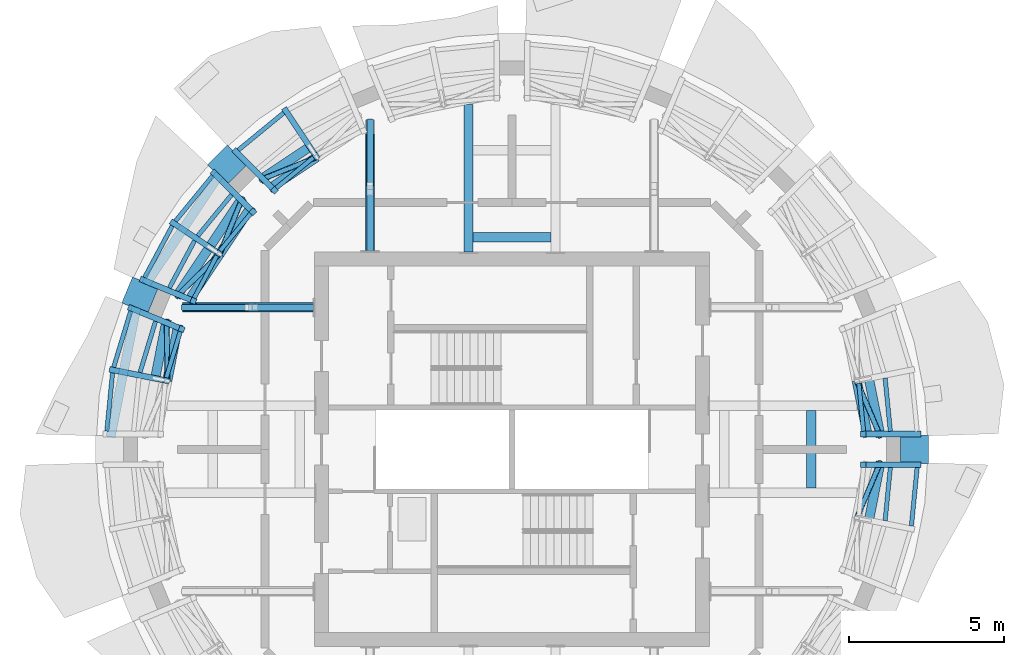
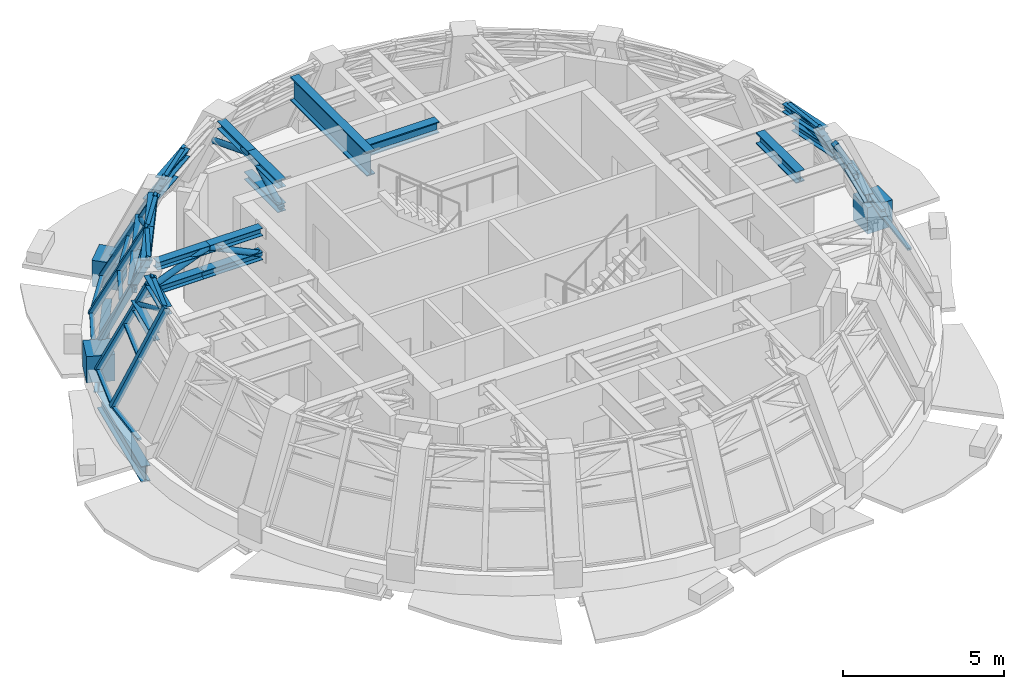
# One storey, part 4 of 12: 56 members, 5 beams, 5 elements without a shape of their own.
"""IFC4 building model written with IfcOpenShell, lengths in metres."""

from ifc_helpers import new_model, si_unit, direction, frame, origin, origin_2d, place, context, subcontext, project, spatial, rectangle, hollow_circle, i_section, extrude, material, material_profile, profile_set, type_object, element, aggregate, save


model = new_model("IFC4")

# Units and contexts
model_context = context("Model", 3, precision=1e-05, world=origin(), true_north=direction((0.0, 1.0)))
body_context = subcontext(model_context, "Body", "Model", "MODEL_VIEW")
ifc_project = project(units=[si_unit("LENGTHUNIT", "METRE"), si_unit("AREAUNIT", "SQUARE_METRE"), si_unit("VOLUMEUNIT", "CUBIC_METRE"), si_unit("PLANEANGLEUNIT", "RADIAN"), si_unit("MASSUNIT", "GRAM", prefix="KILO")], contexts=[model_context])

# Site, building, storey
site_placement = place(None, origin())
site = spatial("IfcSite", under=ifc_project, at=site_placement, CompositionType="ELEMENT")
building_placement = place(site_placement, origin())
building = spatial("IfcBuilding", under=site, at=building_placement, Name="Polderwave Tower", CompositionType="ELEMENT")
storey_placement = place(building_placement, frame((0.0, 0.0, 235.39990234375)))
storey = spatial("IfcBuildingStorey", under=building, at=storey_placement, Name="L64", CompositionType="ELEMENT", Elevation=235.39990234375)

# Members
ifc_material_1 = material(Name="Steel S460", Category="steel")
ifc_material_profile_1 = material_profile(ifc_material_1, i_section(OverallWidth=0.300048828125, OverallDepth=0.300048828125, WebThickness=0.010986328125, FlangeThickness=0.01904296875, at=origin_2d()), Name="HE 300 B")
ifc_profile_set_1 = profile_set([ifc_material_profile_1], Name="Steel S460")
member_type_1 = type_object("IfcMemberType", Name="BELT CHORD HE 300 B", PredefinedType="CHORD", material=ifc_profile_set_1)
member_1_placement = place(storey_placement, frame((11.4580078125, 0.39990234375, 3.25), z_axis=(-0.195122538865, 0.980778871524, 0.0), x_axis=(-0.980778871524, -0.195122538865, 0.0)))
element("IfcMember", 1, at=member_1_placement, inside=storey, type_object=member_type_1, Name="ST-BT-L64-00-TC1", PredefinedType="CHORD", context=body_context, shape_type="SweptSolid", body=[
    extrude(i_section(OverallWidth=0.300048828125, OverallDepth=0.300048828125, WebThickness=0.010986328125, FlangeThickness=0.01904296875, at=origin_2d()), origin(), (0.0, 0.0, 1.0), 1.843017578125),
])
member_2_placement = place(storey_placement, frame((11.863037109375, 0.39990234375, 2.35009765625), z_axis=(-0.195090163074, 0.980785312019, 0.0), x_axis=(-0.980785312019, -0.195090163074, 0.0)))
element("IfcMember", 2, at=member_2_placement, inside=storey, type_object=member_type_1, Name="ST-BT-L64-00-BC1", PredefinedType="CHORD", context=body_context, shape_type="SweptSolid", body=[
    extrude(i_section(OverallWidth=0.300048828125, OverallDepth=0.300048828125, WebThickness=0.010986328125, FlangeThickness=0.01904296875, at=origin_2d()), origin(), (0.0, 0.0, 1.0), 1.922119140625),
])
member_3_placement = place(storey_placement, frame((-6.28662109375, 9.40869140625, 3.25), z_axis=(-0.831479238083, -0.555555826751, 0.0), x_axis=(0.555555826751, -0.831479238083, 0.0)))
element("IfcMember", 3, at=member_3_placement, inside=storey, type_object=member_type_1, Name="ST-BT-L64-05-TC2", PredefinedType="CHORD", context=body_context, shape_type="SweptSolid", body=[
    extrude(i_section(OverallWidth=0.300048828125, OverallDepth=0.300048828125, WebThickness=0.010986328125, FlangeThickness=0.01904296875, at=origin_2d()), origin(), (0.0, 0.0, 1.0), 1.843017578125),
])
member_4_placement = place(storey_placement, frame((-6.50732421875, 9.739013671875, 2.35009765625), z_axis=(-0.831463590083, -0.555579245802, 0.0), x_axis=(0.555579245802, -0.831463590083, 0.0)))
element("IfcMember", 4, at=member_4_placement, inside=storey, type_object=member_type_1, Name="ST-BT-L64-05-BC2", PredefinedType="CHORD", context=body_context, shape_type="SweptSolid", body=[
    extrude(i_section(OverallWidth=0.300048828125, OverallDepth=0.300048828125, WebThickness=0.010986328125, FlangeThickness=0.01904296875, at=origin_2d()), origin(), (0.0, 0.0, 1.0), 1.922119140625),
])
member_5_placement = place(storey_placement, frame((-8.384765625, 7.819091796875, 3.25), z_axis=(-0.555555826751, -0.831479238083, 0.0), x_axis=(0.831479238083, -0.555555826751, 0.0)))
element("IfcMember", 5, at=member_5_placement, inside=storey, type_object=member_type_1, Name="ST-BT-L64-06-TC1", PredefinedType="CHORD", context=body_context, shape_type="SweptSolid", body=[
    extrude(i_section(OverallWidth=0.300048828125, OverallDepth=0.300048828125, WebThickness=0.010986328125, FlangeThickness=0.01904296875, at=origin_2d()), origin(), (0.0, 0.0, 1.0), 1.843017578125),
])
member_6_placement = place(storey_placement, frame((-8.671142578125, 8.10546875, 2.35009765625), z_axis=(-0.555579245802, -0.831463590083, 0.0), x_axis=(0.831463590083, -0.555579245802, 0.0)))
element("IfcMember", 6, at=member_6_placement, inside=storey, type_object=member_type_1, Name="ST-BT-L64-06-BC1", PredefinedType="CHORD", context=body_context, shape_type="SweptSolid", body=[
    extrude(i_section(OverallWidth=0.300048828125, OverallDepth=0.300048828125, WebThickness=0.010986328125, FlangeThickness=0.01904296875, at=origin_2d()), origin(), (0.0, 0.0, 1.0), 1.922119140625),
])
member_7_placement = place(storey_placement, frame((-9.40869140625, 6.28662109375, 3.25), z_axis=(-0.555617021697, -0.831438347203, 0.0), x_axis=(0.831438347203, -0.555617021697, 0.0)))
element("IfcMember", 7, at=member_7_placement, inside=storey, type_object=member_type_1, Name="ST-BT-L64-06-TC2", PredefinedType="CHORD", context=body_context, shape_type="SweptSolid", body=[
    extrude(i_section(OverallWidth=0.300048828125, OverallDepth=0.300048828125, WebThickness=0.010986328125, FlangeThickness=0.01904296875, at=origin_2d()), origin(), (0.0, 0.0, 1.0), 1.8427734375),
])
member_8_placement = place(storey_placement, frame((-9.739013671875, 6.50732421875, 2.35009765625), z_axis=(-0.555579245802, -0.831463590083, 0.0), x_axis=(0.831463590083, -0.555579245802, 0.0)))
element("IfcMember", 8, at=member_8_placement, inside=storey, type_object=member_type_1, Name="ST-BT-L64-06-BC2", PredefinedType="CHORD", context=body_context, shape_type="SweptSolid", body=[
    extrude(i_section(OverallWidth=0.300048828125, OverallDepth=0.300048828125, WebThickness=0.010986328125, FlangeThickness=0.01904296875, at=origin_2d()), origin(), (0.0, 0.0, 1.0), 1.922119140625),
])
member_9_placement = place(storey_placement, frame((-10.73876953125, 4.01513671875, 3.25), z_axis=(-0.195122538865, -0.980778871524, 0.0), x_axis=(0.980778871524, -0.195122538865, 0.0)))
element("IfcMember", 9, at=member_9_placement, inside=storey, type_object=member_type_1, Name="ST-BT-L64-07-TC1", PredefinedType="CHORD", context=body_context, shape_type="SweptSolid", body=[
    extrude(i_section(OverallWidth=0.300048828125, OverallDepth=0.300048828125, WebThickness=0.010986328125, FlangeThickness=0.01904296875, at=origin_2d()), origin(), (0.0, 0.0, 1.0), 1.843017578125),
])
member_10_placement = place(storey_placement, frame((-11.113037109375, 4.170166015625, 2.35009765625), z_axis=(-0.195114468684, -0.980780477023, 0.0), x_axis=(0.980780477023, -0.195114468684, 0.0)))
element("IfcMember", 10, at=member_10_placement, inside=storey, type_object=member_type_1, Name="ST-BT-L64-07-BC1", PredefinedType="CHORD", context=body_context, shape_type="SweptSolid", body=[
    extrude(i_section(OverallWidth=0.300048828125, OverallDepth=0.300048828125, WebThickness=0.010986328125, FlangeThickness=0.01904296875, at=origin_2d()), origin(), (0.0, 0.0, 1.0), 1.921875),
])
member_11_placement = place(storey_placement, frame((11.488037109375, -2.28515625, 2.35009765625), z_axis=(0.195090163074, 0.980785312019, 0.0), x_axis=(-0.980785312019, 0.195090163074, 0.0)))
element("IfcMember", 11, at=member_11_placement, inside=storey, type_object=member_type_1, Name="ST-BT-L64-15-BC2", PredefinedType="CHORD", context=body_context, shape_type="SweptSolid", body=[
    extrude(i_section(OverallWidth=0.300048828125, OverallDepth=0.300048828125, WebThickness=0.010986328125, FlangeThickness=0.01904296875, at=origin_2d()), origin(), (0.0, 0.0, 1.0), 1.922119140625),
])
ifc_material_profile_2 = material_profile(ifc_material_1, hollow_circle(Radius=0.084228515625, WallThickness=0.008056640625, at=origin_2d()), Name="CHS 168.3x8")
ifc_profile_set_2 = profile_set([ifc_material_profile_2], Name="Steel S460")
member_type_2 = type_object("IfcMemberType", Name="BELT DIAGONAL CHS 168.3x8", PredefinedType="BRACE", material=ifc_profile_set_2)
for number, where, z_axis, x_axis, name in (
    (12, (11.863037109375, 0.39990234375, 2.35009765625), (-0.354140889164, 0.837183634537, 0.416782668409), (-0.920987851483, -0.38959129536, 0.0), "ST-BT-L64-00-D1"),
    (13, (-6.28662109375, 9.40869140625, 3.25), (-0.842383316613, -0.341589261676, -0.416781866448), (0.375783065942, -0.926707660134, 0.0), "ST-BT-L64-05-D2"),
    (14, (-8.671142578125, 8.10546875, 2.35009765625), (-0.341589261676, -0.842383316613, 0.416781866448), (0.926707660134, -0.375783065942, 0.0), "ST-BT-L64-06-D1"),
    (15, (-9.40869140625, 6.28662109375, 3.25), (-0.647553721279, -0.637942744099, -0.416777198644), (0.701800503553, -0.71237353489, 0.0), "ST-BT-L64-06-D2"),
    (16, (-11.113037109375, 4.170166015625, 2.35009765625), (0.006784287361, -0.908981434905, 0.416781386872), (0.99997214839, 0.007463407004, 0.0), "ST-BT-L64-07-D1"),
    (17, (11.098388671875, -2.20751953125, 3.25), (0.354140889164, 0.837183634537, -0.416782668409), (-0.920987851483, 0.38959129536, 0.0), "ST-BT-L64-15-D2"),
):
    element("IfcMember", number, at=place(storey_placement, frame(where, z_axis=z_axis, x_axis=x_axis)), inside=storey, type_object=member_type_2, Name=name, PredefinedType="BRACE", context=body_context, shape_type="SweptSolid", body=[
        extrude(hollow_circle(Radius=0.084228515625, WallThickness=0.008056640625, at=origin_2d()), origin(), (0.0, 0.0, 1.0), 2.1591796875),
    ])

# Curtain wall, member
ifc_material_2 = material(Name="Aluminium 6063-T6 and glass", Category="aluminium")
curtain_wall_type = type_object("IfcCurtainWallType", Name="Crown facet glazing wall", PredefinedType="NOTDEFINED", material=ifc_material_2)
curtain_wall_1_placement = place(storey_placement, origin())
curtain_wall_1 = element("IfcCurtainWall", 18, at=curtain_wall_1_placement, inside=storey, type_object=curtain_wall_type, Name="CROWN CW6 L64 00", PredefinedType="NOTDEFINED")
ifc_material_3 = material(Name="Aluminium 6063-T6", Category="aluminium")
ifc_material_profile_3 = material_profile(ifc_material_3, rectangle(XDim=0.18505859375, YDim=0.199951171875, at=origin_2d()), Name="AL 185x200")
ifc_profile_set_3 = profile_set([ifc_material_profile_3], Name="Aluminium 6063-T6")
member_type_3 = type_object("IfcMemberType", Name="Crown facet glazing mullion 185x200", PredefinedType="MULLION", material=ifc_profile_set_3)
member_12_placement = place(storey_placement, frame((13.071044921875, 0.4921875, 0.0), z_axis=(-0.461150112865, 0.0, 0.887322136208), x_axis=(0.0, -1.0, 0.0)))
member_12 = element("IfcMember", 19, at=member_12_placement, type_object=member_type_3, Name="CW6 mullion 1", PredefinedType="MULLION", context=body_context, shape_type="SweptSolid", body=[
    extrude(rectangle(XDim=0.18505859375, YDim=0.199951171875, at=origin_2d()), origin(), (0.0, 0.0, 1.0), 3.83203125),
])

# Curtain wall, members
curtain_wall_2_placement = place(storey_placement, origin())
curtain_wall_2 = element("IfcCurtainWall", 20, at=curtain_wall_2_placement, inside=storey, type_object=curtain_wall_type, Name="CROWN CW6 L64 05", PredefinedType="NOTDEFINED")
member_13_placement = place(storey_placement, frame((-7.2890625, 10.908935546875, 0.0), z_axis=(0.256289716032, -0.383574541444, 0.887235116873), x_axis=(0.831476219755, 0.555560344141, 0.0)))
member_13 = element("IfcMember", 21, at=member_13_placement, type_object=member_type_3, Name="CW6 mullion 2", PredefinedType="MULLION", context=body_context, shape_type="SweptSolid", body=[
    extrude(rectangle(XDim=0.18505859375, YDim=0.199951171875, at=origin_2d()), origin(), (0.0, 0.0, 1.0), 3.832275390625),
])
member_14_placement = place(storey_placement, frame((-8.89453125, 9.5908203125, 0.0), z_axis=(0.326180736129, -0.326180736129, 0.887249826575), x_axis=(0.707106781187, 0.707106781187, 0.0)))
member_14 = element("IfcMember", 22, at=member_14_placement, type_object=member_type_3, Name="CW6 mullion 3", PredefinedType="MULLION", context=body_context, shape_type="SweptSolid", body=[
    extrude(rectangle(XDim=0.18505859375, YDim=0.199951171875, at=origin_2d()), origin(), (0.0, 0.0, 1.0), 3.832275390625),
])

curtain_wall_3_placement = place(storey_placement, origin())
curtain_wall_3 = element("IfcCurtainWall", 23, at=curtain_wall_3_placement, inside=storey, type_object=curtain_wall_type, Name="CROWN CW6 L64 06", PredefinedType="NOTDEFINED")
member_15_placement = place(storey_placement, frame((-9.5908203125, 8.89453125, 0.0), z_axis=(0.326180736129, -0.326180736129, 0.887249826575), x_axis=(0.707106781187, 0.707106781187, 0.0)))
member_15 = element("IfcMember", 24, at=member_15_placement, type_object=member_type_3, Name="CW6 mullion 1", PredefinedType="MULLION", context=body_context, shape_type="SweptSolid", body=[
    extrude(rectangle(XDim=0.18505859375, YDim=0.199951171875, at=origin_2d()), origin(), (0.0, 0.0, 1.0), 3.832275390625),
])
member_16_placement = place(storey_placement, frame((-10.908935546875, 7.2890625, 0.0), z_axis=(0.383574541444, -0.256289716032, 0.887235116873), x_axis=(0.555560344141, 0.831476219755, 0.0)))
member_16 = element("IfcMember", 25, at=member_16_placement, type_object=member_type_3, Name="CW6 mullion 2", PredefinedType="MULLION", context=body_context, shape_type="SweptSolid", body=[
    extrude(rectangle(XDim=0.18505859375, YDim=0.199951171875, at=origin_2d()), origin(), (0.0, 0.0, 1.0), 3.832275390625),
])
member_17_placement = place(storey_placement, frame((-11.888427734375, 5.45654296875, 0.0), z_axis=(0.426153481267, -0.176411868684, 0.887283530215), x_axis=(0.382485993567, 0.923961289625, 0.0)))
member_17 = element("IfcMember", 26, at=member_17_placement, type_object=member_type_3, Name="CW6 mullion 3", PredefinedType="MULLION", context=body_context, shape_type="SweptSolid", body=[
    extrude(rectangle(XDim=0.18505859375, YDim=0.199951171875, at=origin_2d()), origin(), (0.0, 0.0, 1.0), 3.83203125),
])

curtain_wall_4_placement = place(storey_placement, origin())
curtain_wall_4 = element("IfcCurtainWall", 27, at=curtain_wall_4_placement, inside=storey, type_object=curtain_wall_type, Name="CROWN CW6 L64 07", PredefinedType="NOTDEFINED")
member_18_placement = place(storey_placement, frame((-12.264892578125, 4.547607421875, 0.0), z_axis=(0.426153481267, -0.176411868684, 0.887283530215), x_axis=(0.382485993567, 0.923961289625, 0.0)))
member_18 = element("IfcMember", 28, at=member_18_placement, type_object=member_type_3, Name="CW6 mullion 1", PredefinedType="MULLION", context=body_context, shape_type="SweptSolid", body=[
    extrude(rectangle(XDim=0.18505859375, YDim=0.199951171875, at=origin_2d()), origin(), (0.0, 0.0, 1.0), 3.83203125),
])
member_19_placement = place(storey_placement, frame((-12.867919921875, 2.56005859375, 0.0), z_axis=(0.452442689368, -0.090017110684, 0.88723871231), x_axis=(0.195133411565, 0.980776708375, 0.0)))
member_19 = element("IfcMember", 29, at=member_19_placement, type_object=member_type_3, Name="CW6 mullion 2", PredefinedType="MULLION", context=body_context, shape_type="SweptSolid", body=[
    extrude(rectangle(XDim=0.18505859375, YDim=0.199951171875, at=origin_2d()), origin(), (0.0, 0.0, 1.0), 3.832275390625),
])

# Curtain wall, member
curtain_wall_5_placement = place(storey_placement, origin())
curtain_wall_5 = element("IfcCurtainWall", 30, at=curtain_wall_5_placement, inside=storey, type_object=curtain_wall_type, Name="CROWN CW6 L64 15", PredefinedType="NOTDEFINED")
member_20_placement = place(storey_placement, frame((13.071044921875, -0.4921875, 0.0), z_axis=(-0.461150112865, 0.0, 0.887322136208), x_axis=(0.0, -1.0, 0.0)))
member_20 = element("IfcMember", 31, at=member_20_placement, type_object=member_type_3, Name="CW6 mullion 3", PredefinedType="MULLION", context=body_context, shape_type="SweptSolid", body=[
    extrude(rectangle(XDim=0.18505859375, YDim=0.199951171875, at=origin_2d()), origin(), (0.0, 0.0, 1.0), 3.83203125),
])

# Member
ifc_material_profile_4 = material_profile(ifc_material_3, rectangle(XDim=0.139892578125, YDim=0.080078125, at=origin_2d()), Name="AL 80x140")
ifc_profile_set_4 = profile_set([ifc_material_profile_4], Name="Aluminium 6063-T6")
member_type_4 = type_object("IfcMemberType", Name="Crown facet glazing transom 80x140", PredefinedType="USERDEFINED", material=ifc_profile_set_4)
member_21_placement = place(storey_placement, frame((12.178466796875, 0.583984375, 1.7001953125), z_axis=(-0.097957420635, 0.99519060674, 0.0), x_axis=(-0.99519060674, -0.097957420635, 0.0)))
member_21 = element("IfcMember", 32, at=member_21_placement, type_object=member_type_4, Name="CW6 transom 2", ObjectType="TRANSOM", PredefinedType="USERDEFINED", context=body_context, shape_type="SweptSolid", body=[
    extrude(rectangle(XDim=0.139892578125, YDim=0.080078125, at=origin_2d()), origin(), (0.0, 0.0, 1.0), 1.7197265625),
])

member_22_placement = place(storey_placement, frame((11.315673828125, 0.583984375, 3.360107421875), z_axis=(-0.098256415474, 0.995161131083, 0.0), x_axis=(-0.995161131083, -0.098256415474, 0.0)))
member_22 = element("IfcMember", 33, at=member_22_placement, type_object=member_type_4, Name="CW6 transom 3", ObjectType="TRANSOM", PredefinedType="USERDEFINED", context=body_context, shape_type="SweptSolid", body=[
    extrude(rectangle(XDim=0.139892578125, YDim=0.080078125, at=origin_2d()), origin(), (0.0, 0.0, 1.0), 1.550537109375),
])

aggregate(curtain_wall_1, [member_12, member_21, member_22])

member_23_placement = place(storey_placement, frame((-7.348876953125, 10.8330078125, 0.0400390625), z_axis=(-0.772884763536, -0.63454640673, 0.0), x_axis=(0.63454640673, -0.772884763536, 0.0)))
member_23 = element("IfcMember", 34, at=member_23_placement, type_object=member_type_4, Name="CW6 transom 4", ObjectType="TRANSOM", PredefinedType="USERDEFINED", context=body_context, shape_type="SweptSolid", body=[
    extrude(rectangle(XDim=0.139892578125, YDim=0.080078125, at=origin_2d()), origin(), (0.0, 0.0, 1.0), 1.888427734375),
])

member_24_placement = place(storey_placement, frame((-6.389892578125, 9.397705078125, 3.360107421875), z_axis=(-0.772797991824, -0.634652080933, 0.0), x_axis=(0.634652080933, -0.772797991824, 0.0)))
member_24 = element("IfcMember", 35, at=member_24_placement, type_object=member_type_4, Name="CW6 transom 6", ObjectType="TRANSOM", PredefinedType="USERDEFINED", context=body_context, shape_type="SweptSolid", body=[
    extrude(rectangle(XDim=0.139892578125, YDim=0.080078125, at=origin_2d()), origin(), (0.0, 0.0, 1.0), 1.5498046875),
])

aggregate(curtain_wall_2, [member_13, member_14, member_23, member_24])

member_25_placement = place(storey_placement, frame((-9.634765625, 8.808349609375, 0.0400390625), z_axis=(-0.63454640673, -0.772884763536, 0.0), x_axis=(0.772884763536, -0.63454640673, 0.0)))
member_25 = element("IfcMember", 36, at=member_25_placement, type_object=member_type_4, Name="CW6 transom 1", ObjectType="TRANSOM", PredefinedType="USERDEFINED", context=body_context, shape_type="SweptSolid", body=[
    extrude(rectangle(XDim=0.139892578125, YDim=0.080078125, at=origin_2d()), origin(), (0.0, 0.0, 1.0), 1.888427734375),
])

member_26_placement = place(storey_placement, frame((-9.0244140625, 8.197998046875, 1.7001953125), z_axis=(-0.634551629177, -0.772880475824, 0.0), x_axis=(0.772880475824, -0.634551629177, 0.0)))
member_26 = element("IfcMember", 37, at=member_26_placement, type_object=member_type_4, Name="CW6 transom 2", ObjectType="TRANSOM", PredefinedType="USERDEFINED", context=body_context, shape_type="SweptSolid", body=[
    extrude(rectangle(XDim=0.139892578125, YDim=0.080078125, at=origin_2d()), origin(), (0.0, 0.0, 1.0), 1.718994140625),
])

member_27_placement = place(storey_placement, frame((-8.4140625, 7.587646484375, 3.360107421875), z_axis=(-0.634652080933, -0.772797991824, 0.0), x_axis=(0.772797991824, -0.634652080933, 0.0)))
member_27 = element("IfcMember", 38, at=member_27_placement, type_object=member_type_4, Name="CW6 transom 3", ObjectType="TRANSOM", PredefinedType="USERDEFINED", context=body_context, shape_type="SweptSolid", body=[
    extrude(rectangle(XDim=0.139892578125, YDim=0.080078125, at=origin_2d()), origin(), (0.0, 0.0, 1.0), 1.5498046875),
])

member_28_placement = place(storey_placement, frame((-10.935302734375, 7.19580078125, 0.0400390625), z_axis=(-0.471453547144, -0.881890896248, 0.0), x_axis=(0.881890896248, -0.471453547144, 0.0)))
member_28 = element("IfcMember", 39, at=member_28_placement, type_object=member_type_4, Name="CW6 transom 4", ObjectType="TRANSOM", PredefinedType="USERDEFINED", context=body_context, shape_type="SweptSolid", body=[
    extrude(rectangle(XDim=0.139892578125, YDim=0.080078125, at=origin_2d()), origin(), (0.0, 0.0, 1.0), 1.888671875),
])

member_29_placement = place(storey_placement, frame((-10.217529296875, 6.71630859375, 1.7001953125), z_axis=(-0.471582920737, -0.881821721704, 0.0), x_axis=(0.881821721704, -0.471582920737, 0.0)))
member_29 = element("IfcMember", 40, at=member_29_placement, type_object=member_type_4, Name="CW6 transom 5", ObjectType="TRANSOM", PredefinedType="USERDEFINED", context=body_context, shape_type="SweptSolid", body=[
    extrude(rectangle(XDim=0.139892578125, YDim=0.080078125, at=origin_2d()), origin(), (0.0, 0.0, 1.0), 1.71923828125),
])

member_30_placement = place(storey_placement, frame((-9.5, 6.237060546875, 3.360107421875), z_axis=(-0.471552568485, -0.881837952889, 0.0), x_axis=(0.881837952889, -0.471552568485, 0.0)))
member_30 = element("IfcMember", 41, at=member_30_placement, type_object=member_type_4, Name="CW6 transom 6", ObjectType="TRANSOM", PredefinedType="USERDEFINED", context=body_context, shape_type="SweptSolid", body=[
    extrude(rectangle(XDim=0.139892578125, YDim=0.080078125, at=origin_2d()), origin(), (0.0, 0.0, 1.0), 1.550048828125),
])

aggregate(curtain_wall_3, [member_15, member_16, member_17, member_25, member_26, member_27, member_28, member_29, member_30])

member_31_placement = place(storey_placement, frame((-12.2724609375, 4.450927734375, 0.0400390625), z_axis=(-0.290466801867, -0.956885069908, 0.0), x_axis=(0.956885069908, -0.290466801867, 0.0)))
member_31 = element("IfcMember", 42, at=member_31_placement, type_object=member_type_4, Name="CW6 transom 1", ObjectType="TRANSOM", PredefinedType="USERDEFINED", context=body_context, shape_type="SweptSolid", body=[
    extrude(rectangle(XDim=0.139892578125, YDim=0.080078125, at=origin_2d()), origin(), (0.0, 0.0, 1.0), 1.8876953125),
])

member_32_placement = place(storey_placement, frame((-11.47509765625, 4.12109375, 1.7001953125), z_axis=(-0.290291185896, -0.956938361333, 0.0), x_axis=(0.956938361333, -0.290291185896, 0.0)))
member_32 = element("IfcMember", 43, at=member_32_placement, type_object=member_type_4, Name="CW6 transom 2", ObjectType="TRANSOM", PredefinedType="USERDEFINED", context=body_context, shape_type="SweptSolid", body=[
    extrude(rectangle(XDim=0.139892578125, YDim=0.080078125, at=origin_2d()), origin(), (0.0, 0.0, 1.0), 1.718994140625),
])

member_33_placement = place(storey_placement, frame((-10.677978515625, 3.791015625, 3.360107421875), z_axis=(-0.289976793855, -0.957033677059, 0.0), x_axis=(0.957033677059, -0.289976793855, 0.0)))
member_33 = element("IfcMember", 44, at=member_33_placement, type_object=member_type_4, Name="CW6 transom 3", ObjectType="TRANSOM", PredefinedType="USERDEFINED", context=body_context, shape_type="SweptSolid", body=[
    extrude(rectangle(XDim=0.139892578125, YDim=0.080078125, at=origin_2d()), origin(), (0.0, 0.0, 1.0), 1.550048828125),
])

member_34_placement = place(storey_placement, frame((-12.856689453125, 2.4638671875, 0.0400390625), z_axis=(-0.097583974986, -0.995227294554, 0.0), x_axis=(0.995227294554, -0.097583974986, 0.0)))
member_34 = element("IfcMember", 45, at=member_34_placement, type_object=member_type_4, Name="CW6 transom 4", ObjectType="TRANSOM", PredefinedType="USERDEFINED", context=body_context, shape_type="SweptSolid", body=[
    extrude(rectangle(XDim=0.139892578125, YDim=0.080078125, at=origin_2d()), origin(), (0.0, 0.0, 1.0), 1.888916015625),
])

aggregate(curtain_wall_4, [member_18, member_19, member_31, member_32, member_33, member_34])

member_35_placement = place(storey_placement, frame((12.856689453125, -2.4638671875, 0.0400390625), z_axis=(0.097583974986, 0.995227294554, 0.0), x_axis=(-0.995227294554, 0.097583974986, 0.0)))
member_35 = element("IfcMember", 46, at=member_35_placement, type_object=member_type_4, Name="CW6 transom 4", ObjectType="TRANSOM", PredefinedType="USERDEFINED", context=body_context, shape_type="SweptSolid", body=[
    extrude(rectangle(XDim=0.139892578125, YDim=0.080078125, at=origin_2d()), origin(), (0.0, 0.0, 1.0), 1.888916015625),
])

member_36_placement = place(storey_placement, frame((12.010009765625, -2.29541015625, 1.7001953125), z_axis=(0.097957420635, 0.99519060674, 0.0), x_axis=(-0.99519060674, 0.097957420635, 0.0)))
member_36 = element("IfcMember", 47, at=member_36_placement, type_object=member_type_4, Name="CW6 transom 5", ObjectType="TRANSOM", PredefinedType="USERDEFINED", context=body_context, shape_type="SweptSolid", body=[
    extrude(rectangle(XDim=0.139892578125, YDim=0.080078125, at=origin_2d()), origin(), (0.0, 0.0, 1.0), 1.7197265625),
])

aggregate(curtain_wall_5, [member_20, member_35, member_36])

# Beams
ifc_material_profile_5 = material_profile(ifc_material_1, i_section(OverallWidth=0.302001953125, OverallDepth=0.909912109375, WebThickness=0.02099609375, FlangeThickness=0.0400390625, at=origin_2d()), Name="HE 900 M")
ifc_profile_set_5 = profile_set([ifc_material_profile_5], Name="Steel S460")
beam_type_1 = type_object("IfcBeamType", Name="DAMPER SUPPORT BEAM HE 900 M", PredefinedType="BEAM", material=ifc_profile_set_5)
beam_placement = place(storey_placement, frame((-1.39990234375, 6.35009765625, 2.945068359375), z_axis=(0.0, 1.0, 0.0), x_axis=(-1.0, 0.0, 0.0)))
element("IfcBeam", 48, at=beam_placement, inside=storey, type_object=beam_type_1, Name="Damper support beam 2.2", PredefinedType="BEAM", context=body_context, shape_type="SweptSolid", body=[
    extrude(i_section(OverallWidth=0.302001953125, OverallDepth=0.909912109375, WebThickness=0.02099609375, FlangeThickness=0.0400390625, at=origin_2d()), origin(), (0.0, 0.0, 1.0), 4.756103515625),
])
ifc_material_profile_6 = material_profile(ifc_material_1, i_section(OverallWidth=0.306884765625, OverallDepth=0.431884765625, WebThickness=0.02099609375, FlangeThickness=0.0400390625, at=origin_2d()), Name="HE 400 M")
ifc_profile_set_6 = profile_set([ifc_material_profile_6], Name="Steel S460")
beam_type_2 = type_object("IfcBeamType", Name="DAMPER TIE BEAM HE 400 M", PredefinedType="BEAM", material=ifc_profile_set_6)
for number, where, z_axis, x_axis, name in (
    (49, (9.635009765625, -1.2490234375, 3.18408203125), (0.0, 1.0, 0.0), (-1.0, 0.0, 0.0), "Damper tie beam 1.2"),
    (50, (1.2490234375, 6.8349609375, 3.18408203125), (-1.0, 0.0, 0.0), (0.0, -1.0, 0.0), "Damper tie beam 2.1"),
):
    element("IfcBeam", number, at=place(storey_placement, frame(where, z_axis=z_axis, x_axis=x_axis)), inside=storey, type_object=beam_type_2, Name=name, PredefinedType="BEAM", context=body_context, shape_type="SweptSolid", body=[
        extrude(i_section(OverallWidth=0.306884765625, OverallDepth=0.431884765625, WebThickness=0.02099609375, FlangeThickness=0.0400390625, at=origin_2d()), origin(), (0.0, 0.0, 1.0), 2.498046875),
    ])

# Members
ifc_material_profile_7 = material_profile(ifc_material_1, i_section(OverallWidth=0.300048828125, OverallDepth=0.2900390625, WebThickness=0.008544921875, FlangeThickness=0.013916015625, at=origin_2d()), Name="HE 300 A")
ifc_profile_set_7 = profile_set([ifc_material_profile_7], Name="Steel S460")
member_type_5 = type_object("IfcMemberType", Name="OUTRIGGER CHORD HE 300 A", PredefinedType="CHORD", material=ifc_profile_set_7)
member_37_placement = place(storey_placement, frame((-4.571044921875, 6.389892578125, 3.255126953125), z_axis=(0.0, 1.0, 0.0), x_axis=(-1.0, 0.0, 0.0)))
element("IfcMember", 51, at=member_37_placement, inside=storey, type_object=member_type_5, Name="ST-OR-L64-05-TC1", PredefinedType="CHORD", context=body_context, shape_type="SweptSolid", body=[
    extrude(i_section(OverallWidth=0.300048828125, OverallDepth=0.2900390625, WebThickness=0.008544921875, FlangeThickness=0.013916015625, at=origin_2d()), origin(), (0.0, 0.0, 1.0), 1.884765625),
])
member_38_placement = place(storey_placement, frame((-4.571044921875, 6.389892578125, 2.34521484375), z_axis=(0.0, 1.0, 0.0), x_axis=(-1.0, 0.0, 0.0)))
element("IfcMember", 52, at=member_38_placement, inside=storey, type_object=member_type_5, Name="ST-OR-L64-05-BC1", PredefinedType="CHORD", context=body_context, shape_type="SweptSolid", body=[
    extrude(i_section(OverallWidth=0.300048828125, OverallDepth=0.2900390625, WebThickness=0.008544921875, FlangeThickness=0.013916015625, at=origin_2d()), origin(), (0.0, 0.0, 1.0), 2.1064453125),
])
for number, where, z_axis, x_axis, name in (
    (53, (-4.571044921875, 8.274658203125, 3.255126953125), (0.0, 1.0, 0.0), (-1.0, 0.0, 0.0), "ST-OR-L64-05-TC2"),
    (54, (-6.389892578125, 4.571044921875, 3.255126953125), (-1.0, 0.0, 0.0), (0.0, -1.0, 0.0), "ST-OR-L64-07-TC1"),
):
    element("IfcMember", number, at=place(storey_placement, frame(where, z_axis=z_axis, x_axis=x_axis)), inside=storey, type_object=member_type_5, Name=name, PredefinedType="CHORD", context=body_context, shape_type="SweptSolid", body=[
        extrude(i_section(OverallWidth=0.300048828125, OverallDepth=0.2900390625, WebThickness=0.008544921875, FlangeThickness=0.013916015625, at=origin_2d()), origin(), (0.0, 0.0, 1.0), 1.884765625),
    ])
member_39_placement = place(storey_placement, frame((-6.389892578125, 4.571044921875, 2.34521484375), z_axis=(-1.0, 0.0, 0.0), x_axis=(0.0, -1.0, 0.0)))
element("IfcMember", 55, at=member_39_placement, inside=storey, type_object=member_type_5, Name="ST-OR-L64-07-BC1", PredefinedType="CHORD", context=body_context, shape_type="SweptSolid", body=[
    extrude(i_section(OverallWidth=0.300048828125, OverallDepth=0.2900390625, WebThickness=0.008544921875, FlangeThickness=0.013916015625, at=origin_2d()), origin(), (0.0, 0.0, 1.0), 2.1064453125),
])
member_40_placement = place(storey_placement, frame((-8.274658203125, 4.571044921875, 3.255126953125), z_axis=(-1.0, 0.0, 0.0), x_axis=(0.0, -1.0, 0.0)))
element("IfcMember", 56, at=member_40_placement, inside=storey, type_object=member_type_5, Name="ST-OR-L64-07-TC2", PredefinedType="CHORD", context=body_context, shape_type="SweptSolid", body=[
    extrude(i_section(OverallWidth=0.300048828125, OverallDepth=0.2900390625, WebThickness=0.008544921875, FlangeThickness=0.013916015625, at=origin_2d()), origin(), (0.0, 0.0, 1.0), 1.884765625),
])
member_41_placement = place(storey_placement, frame((-8.496337890625, 4.571044921875, 2.34521484375), z_axis=(-1.0, 0.0, 0.0), x_axis=(0.0, -1.0, 0.0)))
element("IfcMember", 57, at=member_41_placement, inside=storey, type_object=member_type_5, Name="ST-OR-L64-07-BC2", PredefinedType="CHORD", context=body_context, shape_type="SweptSolid", body=[
    extrude(i_section(OverallWidth=0.300048828125, OverallDepth=0.2900390625, WebThickness=0.008544921875, FlangeThickness=0.013916015625, at=origin_2d()), origin(), (0.0, 0.0, 1.0), 2.106201171875),
])
ifc_material_profile_8 = material_profile(ifc_material_1, hollow_circle(Radius=0.109619140625, WallThickness=0.010009765625, at=origin_2d()), Name="CHS 219.1x10")
ifc_profile_set_8 = profile_set([ifc_material_profile_8], Name="Steel S460")
member_type_6 = type_object("IfcMemberType", Name="OUTRIGGER DIAGONAL CHS 219.1x10", PredefinedType="BRACE", material=ifc_profile_set_8)
member_42_placement = place(storey_placement, frame((-4.571044921875, 6.389892578125, 2.34521484375), z_axis=(0.0, 0.900546911771, 0.434758852354), x_axis=(-1.0, 0.0, 0.0)))
element("IfcMember", 58, at=member_42_placement, inside=storey, type_object=member_type_6, Name="ST-OR-L64-05-D1", PredefinedType="BRACE", context=body_context, shape_type="SweptSolid", body=[
    extrude(hollow_circle(Radius=0.109619140625, WallThickness=0.010009765625, at=origin_2d()), origin(), (0.0, 0.0, 1.0), 2.093017578125),
])
member_43_placement = place(storey_placement, frame((-4.571044921875, 8.274658203125, 3.255126953125), z_axis=(0.0, 0.931378186214, -0.364053120086), x_axis=(-1.0, 0.0, 0.0)))
element("IfcMember", 59, at=member_43_placement, inside=storey, type_object=member_type_6, Name="ST-OR-L64-05-D2", PredefinedType="BRACE", context=body_context, shape_type="SweptSolid", body=[
    extrude(hollow_circle(Radius=0.109619140625, WallThickness=0.010009765625, at=origin_2d()), origin(), (0.0, 0.0, 1.0), 2.49951171875),
])
member_44_placement = place(storey_placement, frame((-6.389892578125, 4.571044921875, 2.34521484375), z_axis=(-0.900546911771, 0.0, 0.434758852354), x_axis=(0.0, -1.0, 0.0)))
element("IfcMember", 60, at=member_44_placement, inside=storey, type_object=member_type_6, Name="ST-OR-L64-07-D1", PredefinedType="BRACE", context=body_context, shape_type="SweptSolid", body=[
    extrude(hollow_circle(Radius=0.109619140625, WallThickness=0.010009765625, at=origin_2d()), origin(), (0.0, 0.0, 1.0), 2.093017578125),
])
member_45_placement = place(storey_placement, frame((-8.274658203125, 4.571044921875, 3.255126953125), z_axis=(-0.931378186214, 0.0, -0.364053120086), x_axis=(0.0, -1.0, 0.0)))
element("IfcMember", 61, at=member_45_placement, inside=storey, type_object=member_type_6, Name="ST-OR-L64-07-D2", PredefinedType="BRACE", context=body_context, shape_type="SweptSolid", body=[
    extrude(hollow_circle(Radius=0.109619140625, WallThickness=0.010009765625, at=origin_2d()), origin(), (0.0, 0.0, 1.0), 2.49951171875),
])
ifc_material_4 = material(Name="Concrete C60/75", Category="concrete")
ifc_material_profile_9 = material_profile(ifc_material_4, rectangle(XDim=0.89990234375, YDim=0.89990234375, at=origin_2d()), Name="RC 900x900")
ifc_profile_set_9 = profile_set([ifc_material_profile_9], Name="Concrete C60/75")
member_type_7 = type_object("IfcMemberType", Name="RC NODE 900x900 C60/75", PredefinedType="POST", material=ifc_profile_set_9)
for number, where, z_axis, x_axis, name in (
    (62, (12.958984375, 0.0, -0.5), (0.0, 0.0, 1.0), (1.0, 0.0, 0.0), "Ring column node 01"),
    (63, (-9.163330078125, 9.163330078125, -0.5), (0.0, 0.0, 1.0), (-0.707106781187, 0.707106781187, 0.0), "Ring column node 07"),
    (64, (-11.972412109375, 4.959228515625, -0.5), (0.0, 0.0, 1.0), (-0.923879532511, 0.382683432365, 0.0), "Ring column node 08"),
):
    element("IfcMember", number, at=place(storey_placement, frame(where, z_axis=z_axis, x_axis=x_axis)), inside=storey, type_object=member_type_7, Name=name, PredefinedType="POST", context=body_context, shape_type="SweptSolid", body=[
        extrude(rectangle(XDim=0.89990234375, YDim=0.89990234375, at=origin_2d()), origin(), (0.0, 0.0, 1.0), 1.0),
    ])

# Beams
ifc_material_5 = material(Name="Steel S355", Category="steel")
ifc_material_profile_10 = material_profile(ifc_material_5, i_section(OverallWidth=0.300048828125, OverallDepth=0.60009765625, WebThickness=0.015380859375, FlangeThickness=0.030029296875, at=origin_2d()), Name="HE 600 B")
ifc_profile_set_10 = profile_set([ifc_material_profile_10], Name="Steel S355")
beam_type_3 = type_object("IfcBeamType", Name="RING BEAM HE 600 B", PredefinedType="BEAM", material=ifc_profile_set_10)
for number, where, z_axis, x_axis, name in (
    (65, (-9.4189453125, 8.853271484375, -1.199951171875), (-0.555586659811, -0.831458636036, 0.0), (0.831458636036, -0.555586659811, 0.0), "ST-RB-L64-06"),
    (66, (-12.090087890625, 4.574951171875, -1.199951171875), (-0.195057198118, -0.980791868575, 0.0), (0.980791868575, -0.195057198118, 0.0), "ST-RB-L64-07"),
):
    element("IfcBeam", number, at=place(storey_placement, frame(where, z_axis=z_axis, x_axis=x_axis)), inside=storey, type_object=beam_type_3, Name=name, PredefinedType="BEAM", context=body_context, shape_type="SweptSolid", body=[
        extrude(i_section(OverallWidth=0.300048828125, OverallDepth=0.60009765625, WebThickness=0.015380859375, FlangeThickness=0.030029296875, at=origin_2d()), origin(), (0.0, 0.0, 1.0), 4.2568359375),
    ])

save(model, "model.ifc")
